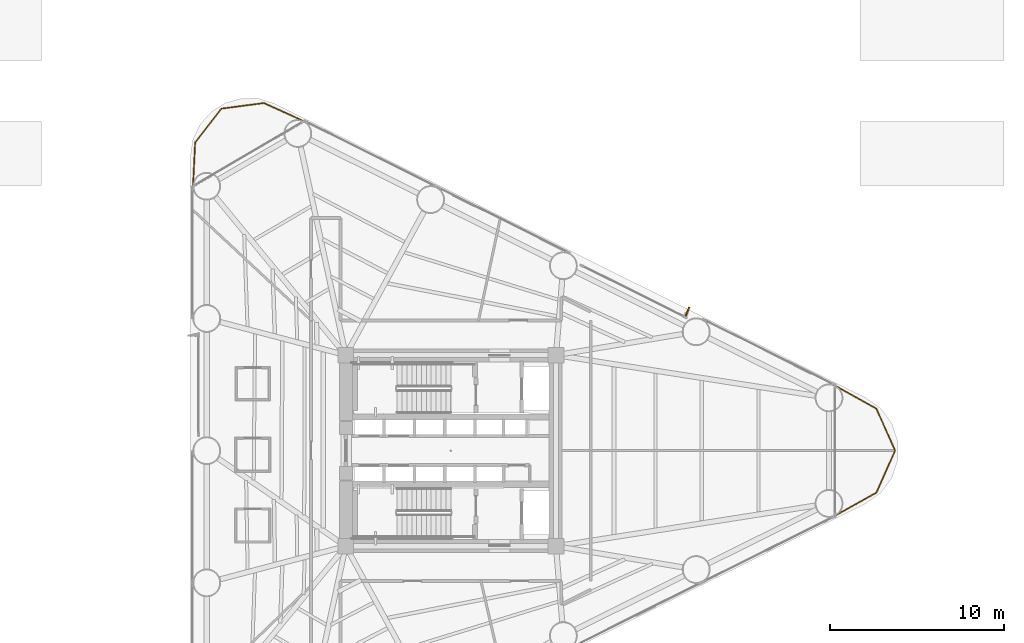
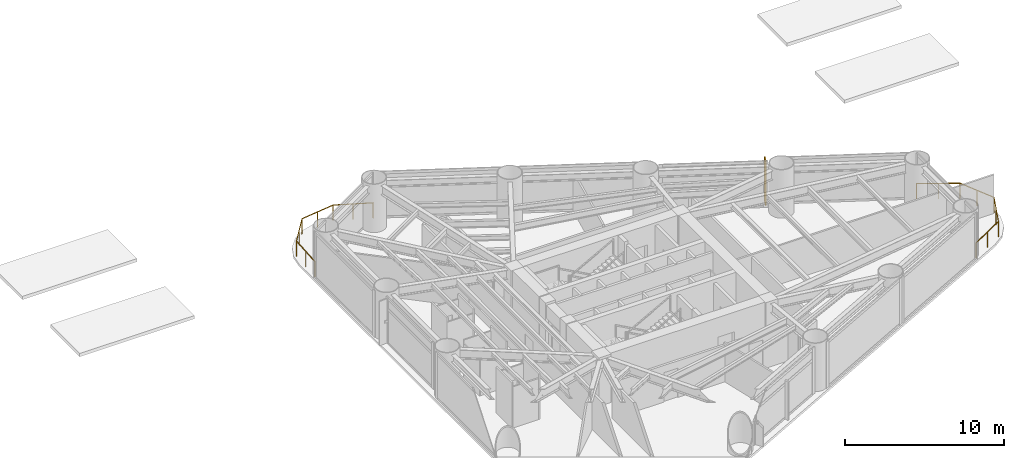
# One storey, part 10 of 10: 2 railings, 1 shading device.
"""IFC4 building model written with IfcOpenShell, lengths in metres."""

from ifc_helpers import new_model, si_unit, direction, frame, origin, origin_2d, place, context, subcontext, project, spatial, rectangle, extrude, source, transform, mapped, material, material_profile, profile_set, type_object, element, save


model = new_model("IFC4")

# Units and contexts
model_context = context("Model", 3, precision=1e-05, world=origin(), true_north=direction((0.0, 1.0)))
body_context = subcontext(model_context, "Body", "Model", "MODEL_VIEW")
ifc_project = project(units=[si_unit("LENGTHUNIT", "METRE"), si_unit("AREAUNIT", "SQUARE_METRE"), si_unit("VOLUMEUNIT", "CUBIC_METRE"), si_unit("PLANEANGLEUNIT", "RADIAN"), si_unit("MASSUNIT", "GRAM", prefix="KILO")], contexts=[model_context])

# Site, building, storey
site_placement = place(None, origin())
site = spatial("IfcSite", under=ifc_project, at=site_placement, CompositionType="ELEMENT")
building_placement = place(site_placement, origin())
building = spatial("IfcBuilding", under=site, at=building_placement, Name="Yunling Apex Tower", CompositionType="ELEMENT")
storey_placement = place(building_placement, frame((0.0, 0.0, 23.800048828125)))
storey = spatial("IfcBuildingStorey", under=building, at=storey_placement, Name="L07", CompositionType="ELEMENT", Elevation=23.800048828125)

# Railings
ifc_material = material(Name="Bronze anodised aluminium", Category="aluminium")
railing_type = type_object("IfcRailingType", Name="RL-BAL-1200", PredefinedType="BALUSTRADE", material=ifc_material)
railing_1_placement = place(storey_placement, frame((22.1181640625, 3.74609375, 0.0)))
element("IfcRailing", 1, at=railing_1_placement, inside=storey, type_object=railing_type, Name="RL-CRNSILL-L07-1", PredefinedType="BALUSTRADE", context=body_context, shape_type="SweptSolid", body=[
    extrude(rectangle(XDim=0.0439453125, YDim=0.0439453125, at=origin_2d()), origin(), (0.0, 0.0, 1.0), 1.199951171875),
    extrude(rectangle(XDim=0.0439453125, YDim=0.0439453125, at=origin_2d()), frame((2.380615234375, -1.3349609375, 0.0)), (0.0, 0.0, 1.0), 1.199951171875),
    extrude(rectangle(XDim=0.050048828125, YDim=0.050048828125, at=origin_2d()), frame((0.033447265625, -0.018798828125, 1.1748046875), z_axis=(0.872222158118, -0.48910991289, 0.0), x_axis=(0.48910991289, 0.872222158118, 0.0)), (0.0, 0.0, 1.0), 2.652587890625),
    extrude(rectangle(XDim=0.0439453125, YDim=0.0439453125, at=origin_2d()), frame((1.1904296875, -0.66748046875, 0.0)), (0.0, 0.0, 1.0), 1.14599609375),
    extrude(rectangle(XDim=0.0439453125, YDim=0.0439453125, at=origin_2d()), frame((3.45263671875, -3.74609375, 0.0)), (0.0, 0.0, 1.0), 1.199951171875),
    extrude(rectangle(XDim=0.050048828125, YDim=0.050048828125, at=origin_2d()), frame((2.396240234375, -1.369873046875, 1.1748046875), z_axis=(0.406267230745, -0.913754309004, 0.0), x_axis=(0.913754309004, 0.406267230745, 0.0)), (0.0, 0.0, 1.0), 2.56201171875),
    extrude(rectangle(XDim=0.0439453125, YDim=0.0439453125, at=origin_2d()), frame((2.91650390625, -2.54052734375, 0.0)), (0.0, 0.0, 1.0), 1.14599609375),
    extrude(rectangle(XDim=0.0439453125, YDim=0.0439453125, at=origin_2d()), frame((2.380615234375, -6.1572265625, 0.0)), (0.0, 0.0, 1.0), 1.199951171875),
    extrude(rectangle(XDim=0.050048828125, YDim=0.050048828125, at=origin_2d()), frame((3.43701171875, -3.781005859375, 1.1748046875), z_axis=(-0.406267230745, -0.913754309004, 0.0), x_axis=(0.913754309004, -0.406267230745, 0.0)), (0.0, 0.0, 1.0), 2.56201171875),
    extrude(rectangle(XDim=0.0439453125, YDim=0.0439453125, at=origin_2d()), frame((2.91650390625, -4.95166015625, 0.0)), (0.0, 0.0, 1.0), 1.14599609375),
    extrude(rectangle(XDim=0.0439453125, YDim=0.0439453125, at=origin_2d()), frame((0.0, -7.4921875, 0.0)), (0.0, 0.0, 1.0), 1.199951171875),
    extrude(rectangle(XDim=0.050048828125, YDim=0.050048828125, at=origin_2d()), frame((2.34716796875, -6.176025390625, 1.1748046875), z_axis=(-0.872222158118, -0.48910991289, 0.0), x_axis=(0.48910991289, -0.872222158118, 0.0)), (0.0, 0.0, 1.0), 2.652587890625),
    extrude(rectangle(XDim=0.0439453125, YDim=0.0439453125, at=origin_2d()), frame((1.1904296875, -6.82470703125, 0.0)), (0.0, 0.0, 1.0), 1.14599609375),
])
railing_2_placement = place(storey_placement, frame((-14.842041015625, 15.218994140625, 0.0)))
element("IfcRailing", 2, at=railing_2_placement, inside=storey, type_object=railing_type, Name="RL-CRNSILL-L07-2", PredefinedType="BALUSTRADE", context=body_context, shape_type="SweptSolid", body=[
    extrude(rectangle(XDim=0.0439453125, YDim=0.0439453125, at=origin_2d()), origin(), (0.0, 0.0, 1.0), 1.199951171875),
    extrude(rectangle(XDim=0.0439453125, YDim=0.0439453125, at=origin_2d()), frame((0.1240234375, 2.52783203125, 0.0)), (0.0, 0.0, 1.0), 1.199951171875),
    extrude(rectangle(XDim=0.050048828125, YDim=0.050048828125, at=origin_2d()), frame((0.001953125, 0.038330078125, 1.1748046875), z_axis=(0.049004218115, 0.998798571588, 0.0), x_axis=(-0.998798571588, 0.049004218115, 0.0)), (0.0, 0.0, 1.0), 2.4541015625),
    extrude(rectangle(XDim=0.0439453125, YDim=0.0439453125, at=origin_2d()), frame((0.06201171875, 1.263916015625, 0.0)), (0.0, 0.0, 1.0), 1.14599609375),
    extrude(rectangle(XDim=0.0439453125, YDim=0.0439453125, at=origin_2d()), frame((1.640625, 4.469482421875, 0.0)), (0.0, 0.0, 1.0), 1.199951171875),
    extrude(rectangle(XDim=0.050048828125, YDim=0.050048828125, at=origin_2d()), frame((0.147705078125, 2.55810546875, 1.1748046875), z_axis=(0.615565197226, 0.788085964832, 0.0), x_axis=(-0.788085964832, 0.615565197226, 0.0)), (0.0, 0.0, 1.0), 2.38720703125),
    extrude(rectangle(XDim=0.0439453125, YDim=0.0439453125, at=origin_2d()), frame((0.88232421875, 3.49853515625, 0.0)), (0.0, 0.0, 1.0), 1.14599609375),
    extrude(rectangle(XDim=0.0439453125, YDim=0.0439453125, at=origin_2d()), frame((4.075439453125, 4.7890625, 0.0)), (0.0, 0.0, 1.0), 1.199951171875),
    extrude(rectangle(XDim=0.050048828125, YDim=0.050048828125, at=origin_2d()), frame((1.6787109375, 4.474365234375, 1.1748046875), z_axis=(0.991495866646, 0.130138182035, 0.0), x_axis=(-0.130138182035, 0.991495866646, 0.0)), (0.0, 0.0, 1.0), 2.379150390625),
    extrude(rectangle(XDim=0.0439453125, YDim=0.0439453125, at=origin_2d()), frame((2.85791015625, 4.62939453125, 0.0)), (0.0, 0.0, 1.0), 1.14599609375),
    extrude(rectangle(XDim=0.0439453125, YDim=0.0439453125, at=origin_2d()), frame((6.382568359375, 3.74609375, 0.0)), (0.0, 0.0, 1.0), 1.199951171875),
    extrude(rectangle(XDim=0.050048828125, YDim=0.050048828125, at=origin_2d()), frame((4.1103515625, 4.773193359375, 1.1748046875), z_axis=(0.911216522497, -0.411927723186, 0.0), x_axis=(0.411927723186, 0.911216522497, 0.0)), (0.0, 0.0, 1.0), 2.455322265625),
    extrude(rectangle(XDim=0.0439453125, YDim=0.0439453125, at=origin_2d()), frame((5.22900390625, 4.267578125, 0.0)), (0.0, 0.0, 1.0), 1.14599609375),
])

# Shading device
ifc_material_profile = material_profile(ifc_material, rectangle(XDim=0.0849609375, YDim=0.550048828125, at=origin_2d()))
ifc_profile_set = profile_set([ifc_material_profile], Name="Bronze anodised aluminium")
shading_device_type = type_object("IfcShadingDeviceType", Name="FN-BRZ-3", PredefinedType="USERDEFINED", material=ifc_profile_set)
shared_shape = source(origin(), body_context, "Body", "SweptSolid", [
    extrude(rectangle(XDim=0.0849609375, YDim=0.550048828125, at=origin_2d()), origin(), (0.0, 0.0, 1.0), 3.39501953125),
])
shading_device_placement = place(storey_placement, frame((13.623291015625, 8.002197265625, 0.06005859375), z_axis=(0.0, 0.0, 1.0), x_axis=(-0.922470722095, 0.386067049717, 0.0)))
element("IfcShadingDevice", 3, at=shading_device_placement, inside=storey, type_object=shading_device_type, Name="CW-L07-F2-B2-FIN-01", ObjectType="FIN", PredefinedType="USERDEFINED", context=body_context, shape_type="MappedRepresentation", body=[
    mapped(shared_shape, transform((0.0, 0.0, 0.0), scale=1.0)),
])

save(model, "model.ifc")
